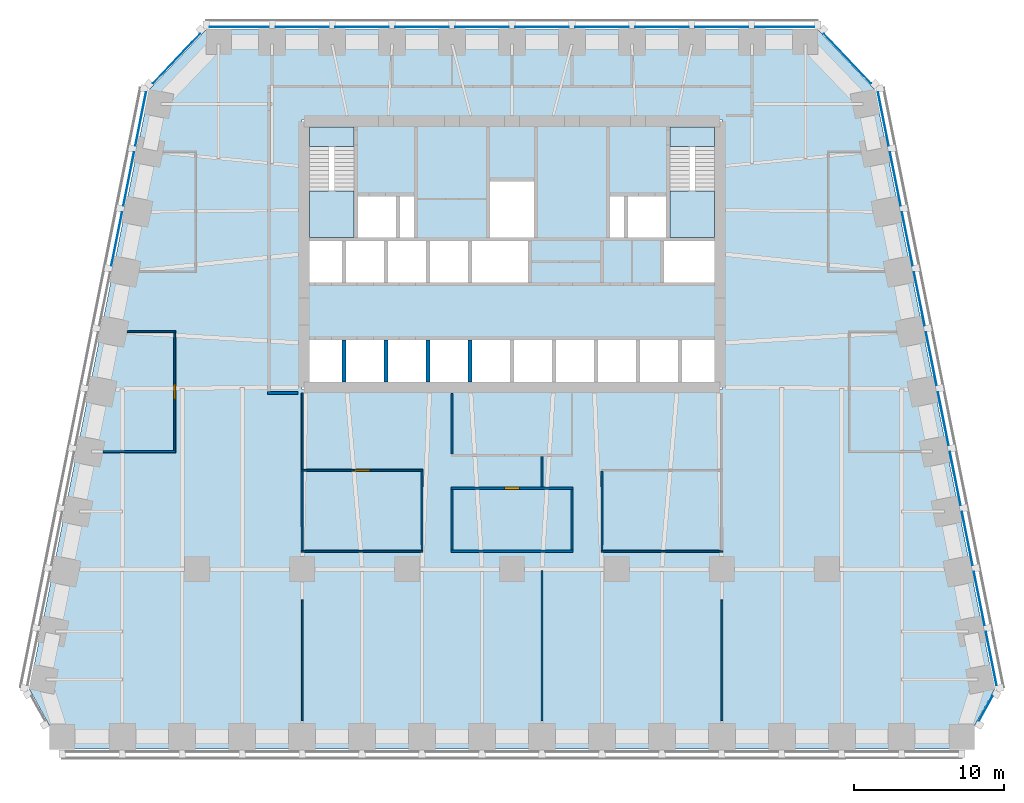
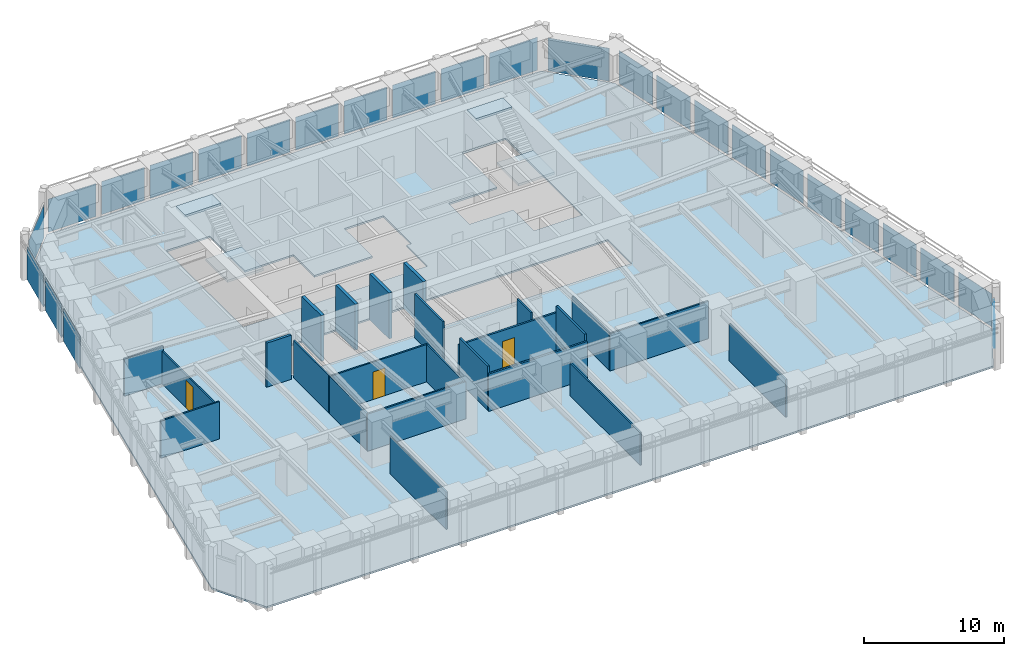
# One storey, part 5 of 10: 26 plates, 24 walls, 5 slabs, 3 doors, 3 openings, 8 elements without a shape of their own.
"""IFC4 building model written with IfcOpenShell, lengths in metres."""

from ifc_helpers import new_model, si_unit, direction, frame, frame_2d, origin, origin_2d, place, context, subcontext, project, spatial, polyline, rectangle, outline, extrude, material, layer, layer_set, type_object, element, fill, aggregate, save


model = new_model("IFC4")

# Units and contexts
model_context = context("Model", 3, precision=1e-05, world=origin(), true_north=direction((0.0, 1.0)))
body_context = subcontext(model_context, "Body", "Model", "MODEL_VIEW")
ifc_project = project(units=[si_unit("LENGTHUNIT", "METRE"), si_unit("AREAUNIT", "SQUARE_METRE"), si_unit("VOLUMEUNIT", "CUBIC_METRE"), si_unit("PLANEANGLEUNIT", "RADIAN"), si_unit("MASSUNIT", "GRAM", prefix="KILO")], contexts=[model_context])

# Site, building, storey
site_placement = place(None, origin())
site = spatial("IfcSite", under=ifc_project, at=site_placement, CompositionType="ELEMENT")
building_placement = place(site_placement, origin())
building = spatial("IfcBuilding", under=site, at=building_placement, Name="Isbrekke Arena Tower", CompositionType="ELEMENT")
storey_placement = place(building_placement, frame((0.0, 0.0, 143.0)))
storey = spatial("IfcBuildingStorey", under=building, at=storey_placement, Name="L32", CompositionType="ELEMENT", Elevation=143.0)

# Curtain wall, plate
ifc_material_1 = material(Name="Glazed aluminium curtain wall", Category="aluminium")
curtain_wall_type = type_object("IfcCurtainWallType", Name="CWM TOWER CURTAIN WALL MID ZONE", PredefinedType="USERDEFINED", material=ifc_material_1)
curtain_wall_1_placement = place(storey_placement, origin())
curtain_wall_1 = element("IfcCurtainWall", 1, at=curtain_wall_1_placement, inside=storey, type_object=curtain_wall_type, Name="CWM curtain wall L32-SE", ObjectType="TOWER CURTAIN WALL MID ZONE", PredefinedType="USERDEFINED")
ifc_material_2 = material(Name="Triple-glazed clear glass unit", Category="glass")
ifc_layer_1 = layer(ifc_material_2, 0.031982421875)
ifc_layer_set_1 = layer_set([ifc_layer_1], Name="CWM-P VISION PANEL")
plate_type = type_object("IfcPlateType", Name="CWM-P VISION PANEL", PredefinedType="CURTAIN_PANEL", material=ifc_layer_set_1)
plate_1_placement = place(storey_placement, frame((31.604248046875, -15.29052734375, 0.02001953125), z_axis=(0.0, 0.0, 1.0), x_axis=(0.481918749773, 0.876215908676, 0.0)))
plate_1 = element("IfcPlate", 2, at=plate_1_placement, type_object=plate_type, Name="CWM-P panel 1", PredefinedType="CURTAIN_PANEL", context=body_context, shape_type="SweptSolid", body=[
    extrude(rectangle(XDim=1.876220703125, YDim=0.031982421875, at=origin_2d()), origin(), (0.0, 0.0, 1.0), 2.8798828125),
])
aggregate(curtain_wall_1, [plate_1])

# Curtain wall, plates
curtain_wall_2_placement = place(storey_placement, origin())
curtain_wall_2 = element("IfcCurtainWall", 3, at=curtain_wall_2_placement, inside=storey, type_object=curtain_wall_type, Name="CWM curtain wall L32-E", ObjectType="TOWER CURTAIN WALL MID ZONE", PredefinedType="USERDEFINED")
plate_2_placement = place(storey_placement, frame((31.9716796875, -11.965576171875, 0.02001953125), z_axis=(0.0, 0.0, 1.0), x_axis=(-0.196116135138, 0.980580675691, 0.0)))
plate_2 = element("IfcPlate", 4, at=plate_2_placement, type_object=plate_type, Name="CWM-P panel 1", PredefinedType="CURTAIN_PANEL", context=body_context, shape_type="SweptSolid", body=[
    extrude(rectangle(XDim=3.629150390625, YDim=0.031982421875, at=origin_2d()), origin(), (0.0, 0.0, 1.0), 2.8798828125),
])
plate_3_placement = place(storey_placement, frame((31.171630859375, -7.965576171875, 0.02001953125), z_axis=(0.0, 0.0, 1.0), x_axis=(-0.196116135138, 0.980580675691, 0.0)))
plate_3 = element("IfcPlate", 5, at=plate_3_placement, type_object=plate_type, Name="CWM-P panel 2", PredefinedType="CURTAIN_PANEL", context=body_context, shape_type="SweptSolid", body=[
    extrude(rectangle(XDim=3.629150390625, YDim=0.031982421875, at=origin_2d()), origin(), (0.0, 0.0, 1.0), 2.8798828125),
])
plate_4_placement = place(storey_placement, frame((30.37158203125, -3.965576171875, 0.02001953125), z_axis=(0.0, 0.0, 1.0), x_axis=(-0.196116135138, 0.980580675691, 0.0)))
plate_4 = element("IfcPlate", 6, at=plate_4_placement, type_object=plate_type, Name="CWM-P panel 3", PredefinedType="CURTAIN_PANEL", context=body_context, shape_type="SweptSolid", body=[
    extrude(rectangle(XDim=3.629150390625, YDim=0.031982421875, at=origin_2d()), origin(), (0.0, 0.0, 1.0), 2.8798828125),
])
plate_5_placement = place(storey_placement, frame((29.571533203125, 0.034423828125, 0.02001953125), z_axis=(0.0, 0.0, 1.0), x_axis=(-0.196116135138, 0.980580675691, 0.0)))
plate_5 = element("IfcPlate", 7, at=plate_5_placement, type_object=plate_type, Name="CWM-P panel 4", PredefinedType="CURTAIN_PANEL", context=body_context, shape_type="SweptSolid", body=[
    extrude(rectangle(XDim=3.629150390625, YDim=0.031982421875, at=origin_2d()), origin(), (0.0, 0.0, 1.0), 2.8798828125),
])
plate_6_placement = place(storey_placement, frame((28.771484375, 4.034423828125, 0.02001953125), z_axis=(0.0, 0.0, 1.0), x_axis=(-0.196116135138, 0.980580675691, 0.0)))
plate_6 = element("IfcPlate", 8, at=plate_6_placement, type_object=plate_type, Name="CWM-P panel 5", PredefinedType="CURTAIN_PANEL", context=body_context, shape_type="SweptSolid", body=[
    extrude(rectangle(XDim=3.629150390625, YDim=0.031982421875, at=origin_2d()), origin(), (0.0, 0.0, 1.0), 2.8798828125),
])
plate_7_placement = place(storey_placement, frame((27.9716796875, 8.034423828125, 0.02001953125), z_axis=(0.0, 0.0, 1.0), x_axis=(-0.196116135138, 0.980580675691, 0.0)))
plate_7 = element("IfcPlate", 9, at=plate_7_placement, type_object=plate_type, Name="CWM-P panel 6", PredefinedType="CURTAIN_PANEL", context=body_context, shape_type="SweptSolid", body=[
    extrude(rectangle(XDim=3.629150390625, YDim=0.031982421875, at=origin_2d()), origin(), (0.0, 0.0, 1.0), 2.8798828125),
])
plate_8_placement = place(storey_placement, frame((27.171630859375, 12.034423828125, 0.02001953125), z_axis=(0.0, 0.0, 1.0), x_axis=(-0.196116135138, 0.980580675691, 0.0)))
plate_8 = element("IfcPlate", 10, at=plate_8_placement, type_object=plate_type, Name="CWM-P panel 7", PredefinedType="CURTAIN_PANEL", context=body_context, shape_type="SweptSolid", body=[
    extrude(rectangle(XDim=3.629150390625, YDim=0.031982421875, at=origin_2d()), origin(), (0.0, 0.0, 1.0), 2.8798828125),
])
plate_9_placement = place(storey_placement, frame((26.37158203125, 16.034423828125, 0.02001953125), z_axis=(0.0, 0.0, 1.0), x_axis=(-0.196116135138, 0.980580675691, 0.0)))
plate_9 = element("IfcPlate", 11, at=plate_9_placement, type_object=plate_type, Name="CWM-P panel 8", PredefinedType="CURTAIN_PANEL", context=body_context, shape_type="SweptSolid", body=[
    extrude(rectangle(XDim=3.629150390625, YDim=0.031982421875, at=origin_2d()), origin(), (0.0, 0.0, 1.0), 2.8798828125),
])
plate_10_placement = place(storey_placement, frame((25.571533203125, 20.034423828125, 0.02001953125), z_axis=(0.0, 0.0, 1.0), x_axis=(-0.196116135138, 0.980580675691, 0.0)))
plate_10 = element("IfcPlate", 12, at=plate_10_placement, type_object=plate_type, Name="CWM-P panel 9", PredefinedType="CURTAIN_PANEL", context=body_context, shape_type="SweptSolid", body=[
    extrude(rectangle(XDim=3.629150390625, YDim=0.031982421875, at=origin_2d()), origin(), (0.0, 0.0, 1.0), 2.8798828125),
])
plate_11_placement = place(storey_placement, frame((24.771484375, 24.034423828125, 0.02001953125), z_axis=(0.0, 0.0, 1.0), x_axis=(-0.196116135138, 0.980580675691, 0.0)))
plate_11 = element("IfcPlate", 13, at=plate_11_placement, type_object=plate_type, Name="CWM-P panel 10", PredefinedType="CURTAIN_PANEL", context=body_context, shape_type="SweptSolid", body=[
    extrude(rectangle(XDim=3.629150390625, YDim=0.031982421875, at=origin_2d()), origin(), (0.0, 0.0, 1.0), 2.8798828125),
])
aggregate(curtain_wall_2, [plate_2, plate_3, plate_4, plate_5, plate_6, plate_7, plate_8, plate_9, plate_10, plate_11])

# Curtain wall, plate
curtain_wall_3_placement = place(storey_placement, origin())
curtain_wall_3 = element("IfcCurtainWall", 14, at=curtain_wall_3_placement, inside=storey, type_object=curtain_wall_type, Name="CWM curtain wall L32-EN", ObjectType="TOWER CURTAIN WALL MID ZONE", PredefinedType="USERDEFINED")
plate_12_placement = place(storey_placement, frame((22.374755859375, 28.06640625, 0.02001953125), z_axis=(0.0, 0.0, 1.0), x_axis=(-0.68874946192, 0.72499943359, 0.0)))
plate_12 = element("IfcPlate", 15, at=plate_12_placement, type_object=plate_type, Name="CWM-P panel 1", PredefinedType="CURTAIN_PANEL", context=body_context, shape_type="SweptSolid", body=[
    extrude(rectangle(XDim=4.558349609375, YDim=0.031982421875, at=origin_2d()), origin(), (0.0, 0.0, 1.0), 2.8798828125),
])
aggregate(curtain_wall_3, [plate_12])

# Curtain wall, plates
curtain_wall_4_placement = place(storey_placement, origin())
curtain_wall_4 = element("IfcCurtainWall", 16, at=curtain_wall_4_placement, inside=storey, type_object=curtain_wall_type, Name="CWM curtain wall L32-N", ObjectType="TOWER CURTAIN WALL MID ZONE", PredefinedType="USERDEFINED")
plate_13_placement = place(storey_placement, frame((18.199951171875, 30.175048828125, 0.02001953125), z_axis=(0.0, 0.0, 1.0), x_axis=(-1.0, 0.0, 0.0)))
plate_13 = element("IfcPlate", 17, at=plate_13_placement, type_object=plate_type, Name="CWM-P panel 1", PredefinedType="CURTAIN_PANEL", context=body_context, shape_type="SweptSolid", body=[
    extrude(rectangle(XDim=3.949951171875, YDim=0.031982421875, at=origin_2d()), origin(), (0.0, 0.0, 1.0), 2.8798828125),
])
plate_14_placement = place(storey_placement, frame((14.0, 30.175048828125, 0.02001953125), z_axis=(0.0, 0.0, 1.0), x_axis=(-1.0, 0.0, 0.0)))
plate_14 = element("IfcPlate", 18, at=plate_14_placement, type_object=plate_type, Name="CWM-P panel 2", PredefinedType="CURTAIN_PANEL", context=body_context, shape_type="SweptSolid", body=[
    extrude(rectangle(XDim=3.550048828125, YDim=0.031982421875, at=origin_2d()), origin(), (0.0, 0.0, 1.0), 2.8798828125),
])
plate_15_placement = place(storey_placement, frame((10.0, 30.175048828125, 0.02001953125), z_axis=(0.0, 0.0, 1.0), x_axis=(-1.0, 0.0, 0.0)))
plate_15 = element("IfcPlate", 19, at=plate_15_placement, type_object=plate_type, Name="CWM-P panel 3", PredefinedType="CURTAIN_PANEL", context=body_context, shape_type="SweptSolid", body=[
    extrude(rectangle(XDim=3.550048828125, YDim=0.031982421875, at=origin_2d()), origin(), (0.0, 0.0, 1.0), 2.8798828125),
])
plate_16_placement = place(storey_placement, frame((6.0, 30.175048828125, 0.02001953125), z_axis=(0.0, 0.0, 1.0), x_axis=(-1.0, 0.0, 0.0)))
plate_16 = element("IfcPlate", 20, at=plate_16_placement, type_object=plate_type, Name="CWM-P panel 4", PredefinedType="CURTAIN_PANEL", context=body_context, shape_type="SweptSolid", body=[
    extrude(rectangle(XDim=3.550048828125, YDim=0.031982421875, at=origin_2d()), origin(), (0.0, 0.0, 1.0), 2.8798828125),
])
plate_17_placement = place(storey_placement, frame((2.0, 30.175048828125, 0.02001953125), z_axis=(0.0, 0.0, 1.0), x_axis=(-1.0, 0.0, 0.0)))
plate_17 = element("IfcPlate", 21, at=plate_17_placement, type_object=plate_type, Name="CWM-P panel 5", PredefinedType="CURTAIN_PANEL", context=body_context, shape_type="SweptSolid", body=[
    extrude(rectangle(XDim=3.550048828125, YDim=0.031982421875, at=origin_2d()), origin(), (0.0, 0.0, 1.0), 2.8798828125),
])
plate_18_placement = place(storey_placement, frame((-2.0, 30.175048828125, 0.02001953125), z_axis=(0.0, 0.0, 1.0), x_axis=(-1.0, 0.0, 0.0)))
plate_18 = element("IfcPlate", 22, at=plate_18_placement, type_object=plate_type, Name="CWM-P panel 6", PredefinedType="CURTAIN_PANEL", context=body_context, shape_type="SweptSolid", body=[
    extrude(rectangle(XDim=3.550048828125, YDim=0.031982421875, at=origin_2d()), origin(), (0.0, 0.0, 1.0), 2.8798828125),
])
plate_19_placement = place(storey_placement, frame((-6.0, 30.175048828125, 0.02001953125), z_axis=(0.0, 0.0, 1.0), x_axis=(-1.0, 0.0, 0.0)))
plate_19 = element("IfcPlate", 23, at=plate_19_placement, type_object=plate_type, Name="CWM-P panel 7", PredefinedType="CURTAIN_PANEL", context=body_context, shape_type="SweptSolid", body=[
    extrude(rectangle(XDim=3.550048828125, YDim=0.031982421875, at=origin_2d()), origin(), (0.0, 0.0, 1.0), 2.8798828125),
])
plate_20_placement = place(storey_placement, frame((-10.0, 30.175048828125, 0.02001953125), z_axis=(0.0, 0.0, 1.0), x_axis=(-1.0, 0.0, 0.0)))
plate_20 = element("IfcPlate", 24, at=plate_20_placement, type_object=plate_type, Name="CWM-P panel 8", PredefinedType="CURTAIN_PANEL", context=body_context, shape_type="SweptSolid", body=[
    extrude(rectangle(XDim=3.550048828125, YDim=0.031982421875, at=origin_2d()), origin(), (0.0, 0.0, 1.0), 2.8798828125),
])
plate_21_placement = place(storey_placement, frame((-14.0, 30.175048828125, 0.02001953125), z_axis=(0.0, 0.0, 1.0), x_axis=(-1.0, 0.0, 0.0)))
plate_21 = element("IfcPlate", 25, at=plate_21_placement, type_object=plate_type, Name="CWM-P panel 9", PredefinedType="CURTAIN_PANEL", context=body_context, shape_type="SweptSolid", body=[
    extrude(rectangle(XDim=3.550048828125, YDim=0.031982421875, at=origin_2d()), origin(), (0.0, 0.0, 1.0), 2.8798828125),
])
plate_22_placement = place(storey_placement, frame((-18.199951171875, 30.175048828125, 0.02001953125), z_axis=(0.0, 0.0, 1.0), x_axis=(-1.0, 0.0, 0.0)))
plate_22 = element("IfcPlate", 26, at=plate_22_placement, type_object=plate_type, Name="CWM-P panel 10", PredefinedType="CURTAIN_PANEL", context=body_context, shape_type="SweptSolid", body=[
    extrude(rectangle(XDim=3.949951171875, YDim=0.031982421875, at=origin_2d()), origin(), (0.0, 0.0, 1.0), 2.8798828125),
])
aggregate(curtain_wall_4, [plate_13, plate_14, plate_15, plate_16, plate_17, plate_18, plate_19, plate_20, plate_21, plate_22])

# Curtain wall, plate
curtain_wall_5_placement = place(storey_placement, origin())
curtain_wall_5 = element("IfcCurtainWall", 27, at=curtain_wall_5_placement, inside=storey, type_object=curtain_wall_type, Name="CWM curtain wall L32-NW", ObjectType="TOWER CURTAIN WALL MID ZONE", PredefinedType="USERDEFINED")
plate_23_placement = place(storey_placement, frame((-22.37451171875, 28.066650390625, 0.02001953125), z_axis=(0.0, 0.0, 1.0), x_axis=(-0.68874946192, -0.72499943359, 0.0)))
plate_23 = element("IfcPlate", 28, at=plate_23_placement, type_object=plate_type, Name="CWM-P panel 1", PredefinedType="CURTAIN_PANEL", context=body_context, shape_type="SweptSolid", body=[
    extrude(rectangle(XDim=4.557373046875, YDim=0.031982421875, at=origin_2d()), origin(), (0.0, 0.0, 1.0), 2.8798828125),
])
aggregate(curtain_wall_5, [plate_23])

# Curtain wall, plates
curtain_wall_6_placement = place(storey_placement, origin())
curtain_wall_6 = element("IfcCurtainWall", 29, at=curtain_wall_6_placement, inside=storey, type_object=curtain_wall_type, Name="CWM curtain wall L32-W", ObjectType="TOWER CURTAIN WALL MID ZONE", PredefinedType="USERDEFINED")
plate_24_placement = place(storey_placement, frame((-24.771484375, 24.034423828125, 0.02001953125), z_axis=(0.0, 0.0, 1.0), x_axis=(-0.196116135138, -0.980580675691, 0.0)))
plate_24 = element("IfcPlate", 30, at=plate_24_placement, type_object=plate_type, Name="CWM-P panel 1", PredefinedType="CURTAIN_PANEL", context=body_context, shape_type="SweptSolid", body=[
    extrude(rectangle(XDim=3.629150390625, YDim=0.031982421875, at=origin_2d()), origin(), (0.0, 0.0, 1.0), 2.8798828125),
])
plate_25_placement = place(storey_placement, frame((-25.571533203125, 20.034423828125, 0.02001953125), z_axis=(0.0, 0.0, 1.0), x_axis=(-0.196116135138, -0.980580675691, 0.0)))
plate_25 = element("IfcPlate", 31, at=plate_25_placement, type_object=plate_type, Name="CWM-P panel 2", PredefinedType="CURTAIN_PANEL", context=body_context, shape_type="SweptSolid", body=[
    extrude(rectangle(XDim=3.629150390625, YDim=0.031982421875, at=origin_2d()), origin(), (0.0, 0.0, 1.0), 2.8798828125),
])
plate_26_placement = place(storey_placement, frame((-26.37158203125, 16.034423828125, 0.02001953125), z_axis=(0.0, 0.0, 1.0), x_axis=(-0.196116135138, -0.980580675691, 0.0)))
plate_26 = element("IfcPlate", 32, at=plate_26_placement, type_object=plate_type, Name="CWM-P panel 3", PredefinedType="CURTAIN_PANEL", context=body_context, shape_type="SweptSolid", body=[
    extrude(rectangle(XDim=3.629150390625, YDim=0.031982421875, at=origin_2d()), origin(), (0.0, 0.0, 1.0), 2.8798828125),
])
aggregate(curtain_wall_6, [plate_24, plate_25, plate_26])

# Slab
ifc_material_3 = material(Name="Concrete B35 (C35/45)", Category="concrete")
ifc_layer_2 = layer(ifc_material_3, 0.14990234375)
ifc_layer_set_2 = layer_set([ifc_layer_2], Name="FS1 COMPOSITE FLOOR 150")
slab_type_1 = type_object("IfcSlabType", Name="FS1 COMPOSITE FLOOR 150", PredefinedType="FLOOR", material=ifc_layer_set_2)
slab_1_placement = place(storey_placement, frame((0.0, 0.0, -0.14990234375)))
element("IfcSlab", 33, at=slab_1_placement, inside=storey, type_object=slab_type_1, Name="FS1 floor slab L32", PredefinedType="FLOOR", context=body_context, shape_type="SweptSolid", body=[
    extrude(outline(polyline([(-30.0, -18.0), (30.0, -18.0), (32.199951171875, -14.0), (24.199951171875, 26.0), (20.39990234375, 30.0), (-20.39990234375, 30.0), (-24.199951171875, 26.0), (-32.199951171875, -14.0), (-30.0, -18.0)]), holes=[polyline([(14.0, 9.39990234375), (14.0, 6.0), (-14.0, 6.0), (-14.0, 9.39990234375), (14.0, 9.39990234375)]), polyline([(-6.39990234375, 19.0), (-6.39990234375, 16.0), (-1.60009765625, 16.0), (-1.60009765625, 20.0), (1.60009765625, 20.0), (1.60009765625, 16.0), (1.199951171875, 16.0), (1.199951171875, 13.0), (-14.0, 13.0), (-14.0, 24.0), (-10.39990234375, 24.0), (-10.39990234375, 19.0), (-6.39990234375, 19.0)]), polyline([(10.0, 13.0), (10.0, 16.0), (6.39990234375, 16.0), (6.39990234375, 19.0), (10.39990234375, 19.0), (10.39990234375, 24.0), (14.0, 24.0), (14.0, 13.0), (10.0, 13.0)])]), origin(), (0.0, 0.0, 1.0), 0.14990234375),
])

# Stair, slabs
ifc_material_4 = material(Name="Concrete B45 (C45/55) precast", Category="concrete")
stair_type = type_object("IfcStairType", Name="ST40 STAIR 1300 WIDE, 24 RISERS 167", PredefinedType="HALF_TURN_STAIR", material=ifc_material_4)
stair_1_placement = place(storey_placement, origin())
stair_1 = element("IfcStair", 34, at=stair_1_placement, inside=storey, type_object=stair_type, Name="ST1 stair L32", PredefinedType="HALF_TURN_STAIR")
ifc_material_5 = material(Name="Concrete B35 (C35/45)", Category="concrete")
ifc_layer_3 = layer(ifc_material_5, 0.199951171875)
ifc_layer_set_3 = layer_set([ifc_layer_3], Name="SL1 STAIR LANDING 200")
slab_type_2 = type_object("IfcSlabType", Name="SL1 STAIR LANDING 200", PredefinedType="LANDING", material=ifc_layer_set_3)
slab_2_placement = place(storey_placement, frame((0.0, 0.0, 1.800048828125)))
slab_2 = element("IfcSlab", 35, at=slab_2_placement, type_object=slab_type_2, Name="ST1 landing 1", PredefinedType="LANDING", context=body_context, shape_type="SweptSolid", body=[
    extrude(outline(polyline([(-13.5, 16.125), (-10.52490234375, 16.125), (-10.52490234375, 19.22998046875), (-13.5, 19.22998046875), (-13.5, 16.125)])), origin(), (0.0, 0.0, 1.0), 0.199951171875),
])
slab_3_placement = place(storey_placement, frame((0.0, 0.0, 3.800048828125)))
slab_3 = element("IfcSlab", 36, at=slab_3_placement, type_object=slab_type_2, Name="ST1 landing 2", PredefinedType="LANDING", context=body_context, shape_type="SweptSolid", body=[
    extrude(outline(polyline([(-13.5, 22.199951171875), (-10.52490234375, 22.199951171875), (-10.52490234375, 23.5), (-13.5, 23.5), (-13.5, 22.199951171875)])), origin(), (0.0, 0.0, 1.0), 0.199951171875),
])
aggregate(stair_1, [slab_2, slab_3])

stair_2_placement = place(storey_placement, origin())
stair_2 = element("IfcStair", 37, at=stair_2_placement, inside=storey, type_object=stair_type, Name="ST2 stair L32", PredefinedType="HALF_TURN_STAIR")
slab_4_placement = place(storey_placement, frame((0.0, 0.0, 1.800048828125)))
slab_4 = element("IfcSlab", 38, at=slab_4_placement, type_object=slab_type_2, Name="ST2 landing 1", PredefinedType="LANDING", context=body_context, shape_type="SweptSolid", body=[
    extrude(outline(polyline([(10.52490234375, 16.125), (13.5, 16.125), (13.5, 19.22998046875), (10.52490234375, 19.22998046875), (10.52490234375, 16.125)])), origin(), (0.0, 0.0, 1.0), 0.199951171875),
])
slab_5_placement = place(storey_placement, frame((0.0, 0.0, 3.800048828125)))
slab_5 = element("IfcSlab", 39, at=slab_5_placement, type_object=slab_type_2, Name="ST2 landing 2", PredefinedType="LANDING", context=body_context, shape_type="SweptSolid", body=[
    extrude(outline(polyline([(10.52490234375, 22.199951171875), (13.5, 22.199951171875), (13.5, 23.5), (10.52490234375, 23.5), (10.52490234375, 22.199951171875)])), origin(), (0.0, 0.0, 1.0), 0.199951171875),
])
aggregate(stair_2, [slab_4, slab_5])

# Walls
ifc_material_6 = material(Name="Concrete B45 (C45/55)", Category="concrete")
ifc_layer_4 = layer(ifc_material_6, 0.25)
ifc_layer_set_4 = layer_set([ifc_layer_4], Name="CW6 SHAFT WALL 250")
wall_type_1 = type_object("IfcWallType", Name="CW6 SHAFT WALL 250", PredefinedType="SHEAR", material=ifc_layer_set_4)
for number, where, z_axis, x_axis, name in (
    (40, (-11.199951171875, 6.5, 0.0), (0.0, 0.0, 1.0), (0.0, 1.0, 0.0), "Core wall SS01 L32"),
    (41, (-8.39990234375, 6.5, 0.0), (0.0, 0.0, 1.0), (0.0, 1.0, 0.0), "Core wall SS02 L32"),
    (42, (-5.60009765625, 6.5, 0.0), (0.0, 0.0, 1.0), (0.0, 1.0, 0.0), "Core wall SS03 L32"),
    (43, (-2.800048828125, 6.5, 0.0), (0.0, 0.0, 1.0), (0.0, 1.0, 0.0), "Core wall SS04 L32"),
):
    element("IfcWall", number, at=place(storey_placement, frame(where, z_axis=z_axis, x_axis=x_axis)), inside=storey, type_object=wall_type_1, Name=name, PredefinedType="SHEAR", context=body_context, shape_type="SweptSolid", body=[
        extrude(rectangle(XDim=2.77490234375, YDim=0.25, at=frame_2d((1.387451171875, 0.0))), origin(), (0.0, 0.0, 1.0), 4.0),
    ])
ifc_material_7 = material(Name="Gypsum board partition on steel studs", Category="steel")
ifc_layer_5 = layer(ifc_material_7, 0.14990234375)
ifc_layer_set_5 = layer_set([ifc_layer_5], Name="IW1 PARTITION 150")
wall_type_2 = type_object("IfcWallType", Name="IW1 PARTITION 150", PredefinedType="PARTITIONING", material=ifc_layer_set_5)
wall_1_placement = place(storey_placement, frame((-4.074951171875, -4.800048828125, 0.0), z_axis=(0.0, 0.0, 1.0), x_axis=(1.0, 0.0, 0.0)))
element("IfcWall", 44, at=wall_1_placement, inside=storey, type_object=wall_type_2, Name="IW1 partition 150 L32", PredefinedType="PARTITIONING", context=body_context, shape_type="SweptSolid", body=[
    extrude(rectangle(XDim=8.14990234375, YDim=0.14990234375, at=frame_2d((4.074951171875, 0.0))), origin(), (0.0, 0.0, 1.0), 3.25),
])

# Wall, opening, door
wall_2_placement = place(storey_placement, frame((-4.074951171875, -0.60009765625, 0.0), z_axis=(0.0, 0.0, 1.0), x_axis=(1.0, 0.0, 0.0)))
wall_2 = element("IfcWall", 45, at=wall_2_placement, inside=storey, type_object=wall_type_2, Name="IW1 partition 150 L32", PredefinedType="PARTITIONING", context=body_context, shape_type="SweptSolid", body=[
    extrude(rectangle(XDim=8.14990234375, YDim=0.14990234375, at=frame_2d((4.074951171875, 0.0))), origin(), (0.0, 0.0, 1.0), 3.25),
])
opening_1_placement = place(wall_2_placement, frame((3.574951171875, 0.0, 0.0)))
opening_1 = element("IfcOpeningElement", 46, at=opening_1_placement, cuts=wall_2, Name="Opening D10", PredefinedType="OPENING", context=body_context, shape_type="SweptSolid", body=[
    extrude(rectangle(XDim=1.0, YDim=2.300048828125, at=frame_2d((0.5, 1.14990234375))), frame((0.0, 0.08984375, 0.0), z_axis=(0.0, -1.0, 0.0), x_axis=(1.0, 0.0, 0.0)), (0.0, 0.0, 1.0), 0.1796875),
])
ifc_material_8 = material(Name="Timber door", Category="wood")
door_type_1 = type_object("IfcDoorType", Name="D10 OFFICE DOOR 1000 x 2300", OperationType="SINGLE_SWING_LEFT", PredefinedType="DOOR", material=ifc_material_8)
door_1_placement = place(opening_1_placement, origin())
door_1 = element("IfcDoor", 47, at=door_1_placement, inside=storey, type_object=door_type_1, Name="D10 pantry door L32", OperationType="SINGLE_SWING_LEFT", OverallHeight=2.300048828125, OverallWidth=1.0, PredefinedType="DOOR", context=body_context, shape_type="SweptSolid", body=[
    extrude(rectangle(XDim=1.0, YDim=2.300048828125, at=frame_2d((0.5, 1.14990234375))), frame((0.0, 0.07470703125, 0.0), z_axis=(0.0, -1.0, 0.0), x_axis=(1.0, 0.0, 0.0)), (0.0, 0.0, 1.0), 0.1494140625),
])
fill(opening_1, door_1)

# Walls
wall_3_placement = place(storey_placement, frame((-4.0, -4.72509765625, 0.0), z_axis=(0.0, 0.0, 1.0), x_axis=(0.0, 1.0, 0.0)))
element("IfcWall", 48, at=wall_3_placement, inside=storey, type_object=wall_type_2, Name="IW1 partition 150 L32", PredefinedType="PARTITIONING", context=body_context, shape_type="SweptSolid", body=[
    extrude(rectangle(XDim=4.050048828125, YDim=0.14990234375, at=frame_2d((2.02490234375, 0.0))), origin(), (0.0, 0.0, 1.0), 3.85009765625),
])
wall_4_placement = place(storey_placement, frame((-4.0, 1.675048828125, 0.0), z_axis=(0.0, 0.0, 1.0), x_axis=(0.0, 1.0, 0.0)))
element("IfcWall", 49, at=wall_4_placement, inside=storey, type_object=wall_type_2, Name="IW1 partition 150 L32", PredefinedType="PARTITIONING", context=body_context, shape_type="SweptSolid", body=[
    extrude(rectangle(XDim=4.044921875, YDim=0.14990234375, at=frame_2d((2.0224609375, 0.0))), origin(), (0.0, 0.0, 1.0), 3.85009765625),
])
wall_5_placement = place(storey_placement, frame((4.0, -4.72509765625, 0.0), z_axis=(0.0, 0.0, 1.0), x_axis=(0.0, 1.0, 0.0)))
element("IfcWall", 50, at=wall_5_placement, inside=storey, type_object=wall_type_2, Name="IW1 partition 150 L32", PredefinedType="PARTITIONING", context=body_context, shape_type="SweptSolid", body=[
    extrude(rectangle(XDim=4.050048828125, YDim=0.14990234375, at=frame_2d((2.02490234375, 0.0))), origin(), (0.0, 0.0, 1.0), 3.85009765625),
])
ifc_material_9 = material(Name="Frameless glazed partition, laminated acoustic glass", Category="glass")
ifc_layer_6 = layer(ifc_material_9, 0.1201171875)
ifc_layer_set_6 = layer_set([ifc_layer_6], Name="IW2 GLAZED PARTITION 120")
wall_type_3 = type_object("IfcWallType", Name="IW2 GLAZED PARTITION 120", PredefinedType="PARTITIONING", material=ifc_layer_set_6)
for number, where, z_axis, x_axis, name in (
    (51, (-14.06005859375, -4.800048828125, 0.0), (0.0, 0.0, 1.0), (1.0, 0.0, 0.0), "IW2 glazed partition 120 L32"),
    (52, (5.93994140625, -4.800048828125, 0.0), (0.0, 0.0, 1.0), (1.0, 0.0, 0.0), "IW2 glazed partition 120 L32"),
):
    element("IfcWall", number, at=place(storey_placement, frame(where, z_axis=z_axis, x_axis=x_axis)), inside=storey, type_object=wall_type_3, Name=name, PredefinedType="PARTITIONING", context=body_context, shape_type="SweptSolid", body=[
        extrude(rectangle(XDim=8.1201171875, YDim=0.1201171875, at=frame_2d((4.06005859375, 0.0))), origin(), (0.0, 0.0, 1.0), 3.25),
    ])

# Wall, opening, door
wall_6_placement = place(storey_placement, frame((-14.06005859375, 0.60009765625, 0.0), z_axis=(0.0, 0.0, 1.0), x_axis=(1.0, 0.0, 0.0)))
wall_6 = element("IfcWall", 53, at=wall_6_placement, inside=storey, type_object=wall_type_3, Name="IW2 glazed partition 120 L32", PredefinedType="PARTITIONING", context=body_context, shape_type="SweptSolid", body=[
    extrude(rectangle(XDim=8.1201171875, YDim=0.1201171875, at=frame_2d((4.06005859375, 0.0))), origin(), (0.0, 0.0, 1.0), 3.25),
])
opening_2_placement = place(wall_6_placement, frame((3.56005859375, 0.0, 0.0)))
opening_2 = element("IfcOpeningElement", 54, at=opening_2_placement, cuts=wall_6, Name="Opening D11", PredefinedType="OPENING", context=body_context, shape_type="SweptSolid", body=[
    extrude(rectangle(XDim=1.0, YDim=2.39990234375, at=frame_2d((0.5, 1.199951171875))), frame((0.0, 0.074951171875, 0.0), z_axis=(0.0, -1.0, 0.0), x_axis=(1.0, 0.0, 0.0)), (0.0, 0.0, 1.0), 0.14990234375),
])
ifc_material_10 = material(Name="Frameless glazed door", Category="glass")
door_type_2 = type_object("IfcDoorType", Name="D11 GLAZED MEETING ROOM DOOR 1000 x 2400", OperationType="SINGLE_SWING_RIGHT", PredefinedType="DOOR", material=ifc_material_10)
door_2_placement = place(opening_2_placement, origin())
door_2 = element("IfcDoor", 55, at=door_2_placement, inside=storey, type_object=door_type_2, Name="D11 meeting room door L32", OperationType="SINGLE_SWING_RIGHT", OverallHeight=2.39990234375, OverallWidth=1.0, PredefinedType="DOOR", context=body_context, shape_type="SweptSolid", body=[
    extrude(rectangle(XDim=1.0, YDim=2.39990234375, at=frame_2d((0.5, 1.199951171875))), frame((0.0, 0.059814453125, 0.0), z_axis=(0.0, -1.0, 0.0), x_axis=(1.0, 0.0, 0.0)), (0.0, 0.0, 1.0), 0.11962890625),
])
fill(opening_2, door_2)

# Walls
wall_7_placement = place(storey_placement, frame((-27.272705078125, 1.840087890625, 0.0), z_axis=(0.0, 0.0, 1.0), x_axis=(1.0, 0.0, 0.0)))
element("IfcWall", 56, at=wall_7_placement, inside=storey, type_object=wall_type_3, Name="IW2 glazed partition 120 L32", PredefinedType="PARTITIONING", context=body_context, shape_type="SweptSolid", body=[
    extrude(rectangle(XDim=4.832763671875, YDim=0.1201171875, at=frame_2d((2.41650390625, 0.0))), origin(), (0.0, 0.0, 1.0), 3.25),
])
wall_8_placement = place(storey_placement, frame((-25.6728515625, 9.840087890625, 0.0), z_axis=(0.0, 0.0, 1.0), x_axis=(1.0, 0.0, 0.0)))
element("IfcWall", 57, at=wall_8_placement, inside=storey, type_object=wall_type_3, Name="IW2 glazed partition 120 L32", PredefinedType="PARTITIONING", context=body_context, shape_type="SweptSolid", body=[
    extrude(rectangle(XDim=3.23291015625, YDim=0.1201171875, at=frame_2d((1.616455078125, 0.0))), origin(), (0.0, 0.0, 1.0), 3.25),
])

# Wall, opening, door
wall_9_placement = place(storey_placement, frame((-22.5, 1.89990234375, 0.0), z_axis=(0.0, 0.0, 1.0), x_axis=(0.0, 1.0, 0.0)))
wall_9 = element("IfcWall", 58, at=wall_9_placement, inside=storey, type_object=wall_type_3, Name="IW2 glazed partition 120 L32", PredefinedType="PARTITIONING", context=body_context, shape_type="SweptSolid", body=[
    extrude(rectangle(XDim=7.880126953125, YDim=0.1201171875, at=frame_2d((3.93994140625, 0.0))), origin(), (0.0, 0.0, 1.0), 2.842041015625),
])
opening_3_placement = place(wall_9_placement, frame((3.43994140625, 0.0, 0.0)))
opening_3 = element("IfcOpeningElement", 59, at=opening_3_placement, cuts=wall_9, Name="Opening D11", PredefinedType="OPENING", context=body_context, shape_type="SweptSolid", body=[
    extrude(rectangle(XDim=1.0, YDim=2.39990234375, at=frame_2d((0.5, 1.199951171875))), frame((0.0, 0.074951171875, 0.0), z_axis=(0.0, -1.0, 0.0), x_axis=(1.0, 0.0, 0.0)), (0.0, 0.0, 1.0), 0.14990234375),
])
door_3_placement = place(opening_3_placement, origin())
door_3 = element("IfcDoor", 60, at=door_3_placement, inside=storey, type_object=door_type_2, Name="D11 project room door L32", OperationType="SINGLE_SWING_RIGHT", OverallHeight=2.39990234375, OverallWidth=1.0, PredefinedType="DOOR", context=body_context, shape_type="SweptSolid", body=[
    extrude(rectangle(XDim=1.0, YDim=2.39990234375, at=frame_2d((0.5, 1.199951171875))), frame((0.0, 0.059814453125, 0.0), z_axis=(0.0, -1.0, 0.0), x_axis=(1.0, 0.0, 0.0)), (0.0, 0.0, 1.0), 0.11962890625),
])
fill(opening_3, door_3)

# Walls
for number, where, z_axis, x_axis, name in (
    (61, (-14.0, -4.739990234375, 0.0), (0.0, 0.0, 1.0), (0.0, 1.0, 0.0), "IW2 glazed partition 120 L32"),
    (62, (-6.0, -4.739990234375, 0.0), (0.0, 0.0, 1.0), (0.0, 1.0, 0.0), "IW2 glazed partition 120 L32"),
    (63, (6.0, -4.739990234375, 0.0), (0.0, 0.0, 1.0), (0.0, 1.0, 0.0), "IW2 glazed partition 120 L32"),
):
    element("IfcWall", number, at=place(storey_placement, frame(where, z_axis=z_axis, x_axis=x_axis)), inside=storey, type_object=wall_type_3, Name=name, PredefinedType="PARTITIONING", context=body_context, shape_type="SweptSolid", body=[
        extrude(rectangle(XDim=5.280029296875, YDim=0.1201171875, at=frame_2d((2.64013671875, 0.0))), origin(), (0.0, 0.0, 1.0), 3.25),
    ])
wall_10_placement = place(storey_placement, frame((-13.9990234375, -16.10009765625, 0.0), z_axis=(0.0, 0.0, 1.0), x_axis=(0.0, 1.0, 0.0)))
element("IfcWall", 64, at=wall_10_placement, inside=storey, type_object=wall_type_3, Name="IW2 glazed partition 120 L32", PredefinedType="PARTITIONING", context=body_context, shape_type="SweptSolid", body=[
    extrude(rectangle(XDim=8.050048828125, YDim=0.1201171875, at=frame_2d((4.02490234375, 0.0))), origin(), (0.0, 0.0, 1.0), 3.25),
])
wall_11_placement = place(storey_placement, frame((-13.9990234375, 0.679931640625, 0.0), z_axis=(0.0, 0.0, 1.0), x_axis=(0.0, 1.0, 0.0)))
element("IfcWall", 65, at=wall_11_placement, inside=storey, type_object=wall_type_3, Name="IW2 glazed partition 120 L32", PredefinedType="PARTITIONING", context=body_context, shape_type="SweptSolid", body=[
    extrude(rectangle(XDim=5.070068359375, YDim=0.1201171875, at=frame_2d((2.53515625, 0.0))), origin(), (0.0, 0.0, 1.0), 3.25),
])
wall_12_placement = place(storey_placement, frame((2.0009765625, -16.10009765625, 0.0), z_axis=(0.0, 0.0, 1.0), x_axis=(0.0, 1.0, 0.0)))
element("IfcWall", 66, at=wall_12_placement, inside=storey, type_object=wall_type_3, Name="IW2 glazed partition 120 L32", PredefinedType="PARTITIONING", context=body_context, shape_type="SweptSolid", body=[
    extrude(rectangle(XDim=10.005126953125, YDim=0.1201171875, at=frame_2d((5.00244140625, 0.0))), origin(), (0.0, 0.0, 1.0), 2.842041015625),
])
wall_13_placement = place(storey_placement, frame((2.0009765625, -0.5048828125, 0.0), z_axis=(0.0, 0.0, 1.0), x_axis=(0.0, 1.0, 0.0)))
element("IfcWall", 67, at=wall_13_placement, inside=storey, type_object=wall_type_3, Name="IW2 glazed partition 120 L32", PredefinedType="PARTITIONING", context=body_context, shape_type="SweptSolid", body=[
    extrude(rectangle(XDim=2.009765625, YDim=0.1201171875, at=frame_2d((1.0048828125, 0.0))), origin(), (0.0, 0.0, 1.0), 3.85009765625),
])
wall_14_placement = place(storey_placement, frame((14.0009765625, -16.10009765625, 0.0), z_axis=(0.0, 0.0, 1.0), x_axis=(0.0, 1.0, 0.0)))
element("IfcWall", 68, at=wall_14_placement, inside=storey, type_object=wall_type_3, Name="IW2 glazed partition 120 L32", PredefinedType="PARTITIONING", context=body_context, shape_type="SweptSolid", body=[
    extrude(rectangle(XDim=8.050048828125, YDim=0.1201171875, at=frame_2d((4.02490234375, 0.0))), origin(), (0.0, 0.0, 1.0), 3.25),
])
ifc_material_11 = material(Name="Gypsum board fire-cell wall on steel studs, two layers each side", Category="steel")
ifc_layer_7 = layer(ifc_material_11, 0.199951171875)
ifc_layer_set_7 = layer_set([ifc_layer_7], Name="IW3 FIRE-CELL WALL 200")
wall_type_4 = type_object("IfcWallType", Name="IW3 FIRE-CELL WALL 200", PredefinedType="PARTITIONING", material=ifc_layer_set_7)
wall_15_placement = place(storey_placement, frame((-16.300048828125, 5.75, 0.0), z_axis=(0.0, 0.0, 1.0), x_axis=(1.0, 0.0, 0.0)))
element("IfcWall", 69, at=wall_15_placement, inside=storey, type_object=wall_type_4, Name="IW3 fire-cell wall 200 L32", PredefinedType="PARTITIONING", context=body_context, shape_type="SweptSolid", body=[
    extrude(rectangle(XDim=2.02001953125, YDim=0.199951171875, at=frame_2d((1.010009765625, 0.0))), origin(), (0.0, 0.0, 1.0), 3.85009765625),
])

save(model, "model.ifc")
